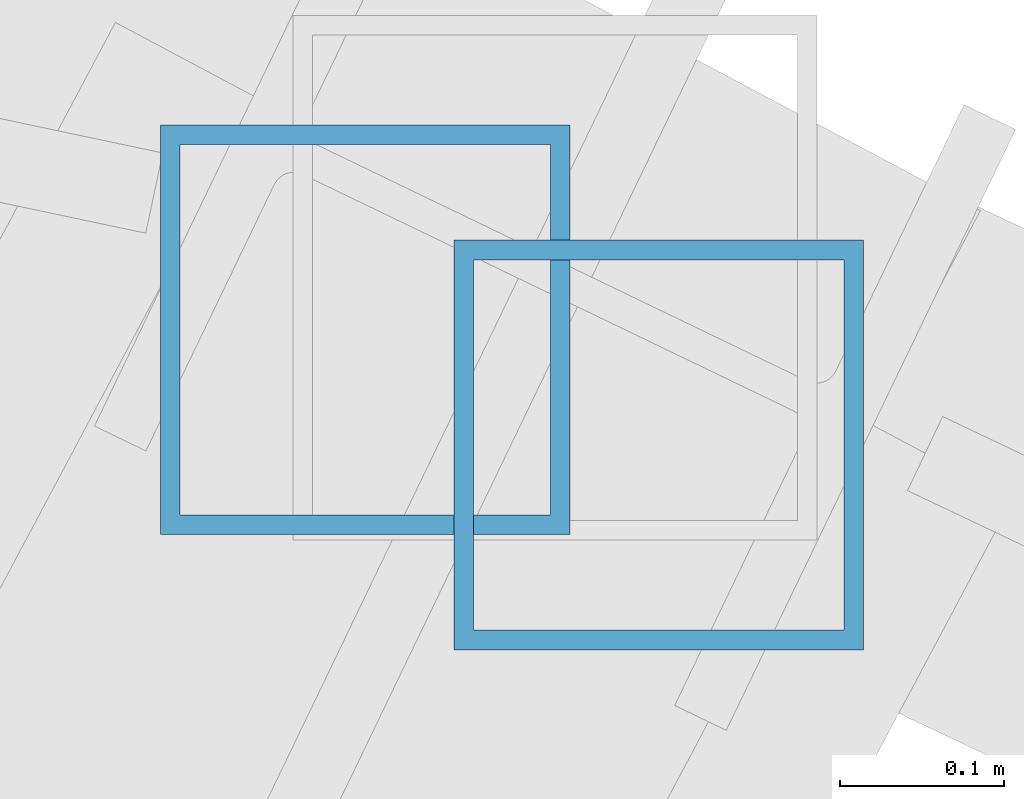
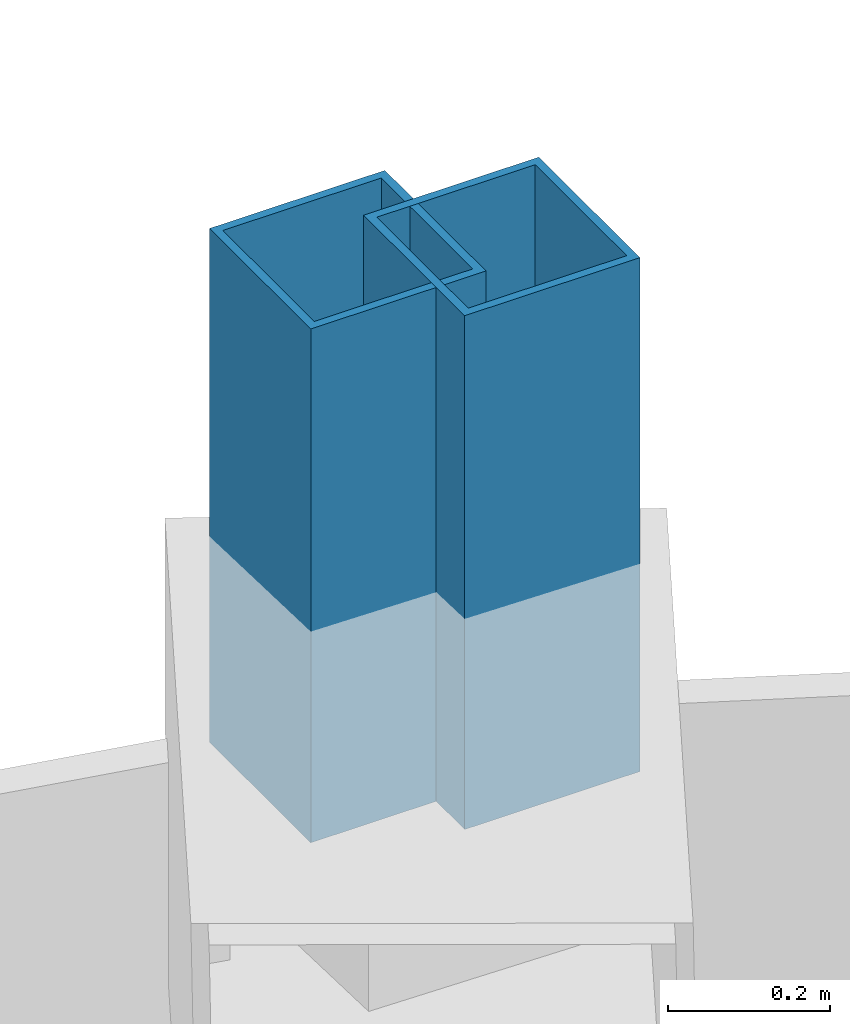
# One storey, part 137 of 162: 2 members.
"""IFC4 building model written with IfcOpenShell, lengths in metres."""

from ifc_helpers import new_model, si_unit, direction, frame, origin, origin_2d, place, context, subcontext, project, spatial, hollow_rectangle, extrude, material, material_profile, profile_set, type_object, element, save


model = new_model("IFC4")

# Units and contexts
model_context = context("Model", 3, precision=1e-05, world=origin(), true_north=direction((0.0, 1.0)))
body_context = subcontext(model_context, "Body", "Model", "MODEL_VIEW")
ifc_project = project(units=[si_unit("LENGTHUNIT", "METRE"), si_unit("AREAUNIT", "SQUARE_METRE"), si_unit("VOLUMEUNIT", "CUBIC_METRE"), si_unit("PLANEANGLEUNIT", "RADIAN"), si_unit("MASSUNIT", "GRAM", prefix="KILO")], contexts=[model_context])

# Site, building, storey
site_placement = place(None, origin())
site = spatial("IfcSite", under=ifc_project, at=site_placement, CompositionType="ELEMENT")
building_placement = place(site_placement, origin())
building = spatial("IfcBuilding", under=site, at=building_placement, Name="Kazemori Nagisa Stadium", CompositionType="ELEMENT")
storey_placement = place(building_placement, frame((0.0, 0.0, 36.719970703125)))
storey = spatial("IfcBuildingStorey", under=building, at=storey_placement, Name="RF", CompositionType="ELEMENT", Elevation=36.719970703125)

# Members
ifc_material = material(Name="Steel STKR490", Category="steel")
ifc_material_profile = material_profile(ifc_material, hollow_rectangle(XDim=0.25, YDim=0.25, WallThickness=0.011962890625, at=origin_2d()), Name="SHS-250x250x12")
ifc_profile_set = profile_set([ifc_material_profile], Name="Steel STKR490")
member_type = type_object("IfcMemberType", Name="Member_ST-SHS250", PredefinedType="STUD", material=ifc_profile_set)
for number, where, z_axis, x_axis, name in (
    (1, (165.867919921875, 182.3623046875, 5.10009765625), (0.0, 0.0, 1.0), (1.0, 0.0, 0.0), "Canopy bearing stool B05-outer-2"),
    (2, (165.68896484375, 182.4326171875, 5.10009765625), (0.0, 0.0, 1.0), (1.0, 0.0, 0.0), "Canopy bearing stool B06-outer-1"),
):
    element("IfcMember", number, at=place(storey_placement, frame(where, z_axis=z_axis, x_axis=x_axis)), inside=storey, type_object=member_type, Name=name, PredefinedType="STUD", context=body_context, shape_type="SweptSolid", body=[
        extrude(hollow_rectangle(XDim=0.25, YDim=0.25, WallThickness=0.011962890625, at=origin_2d()), origin(), (0.0, 0.0, 1.0), 0.77490234375),
    ])

save(model, "model.ifc")
